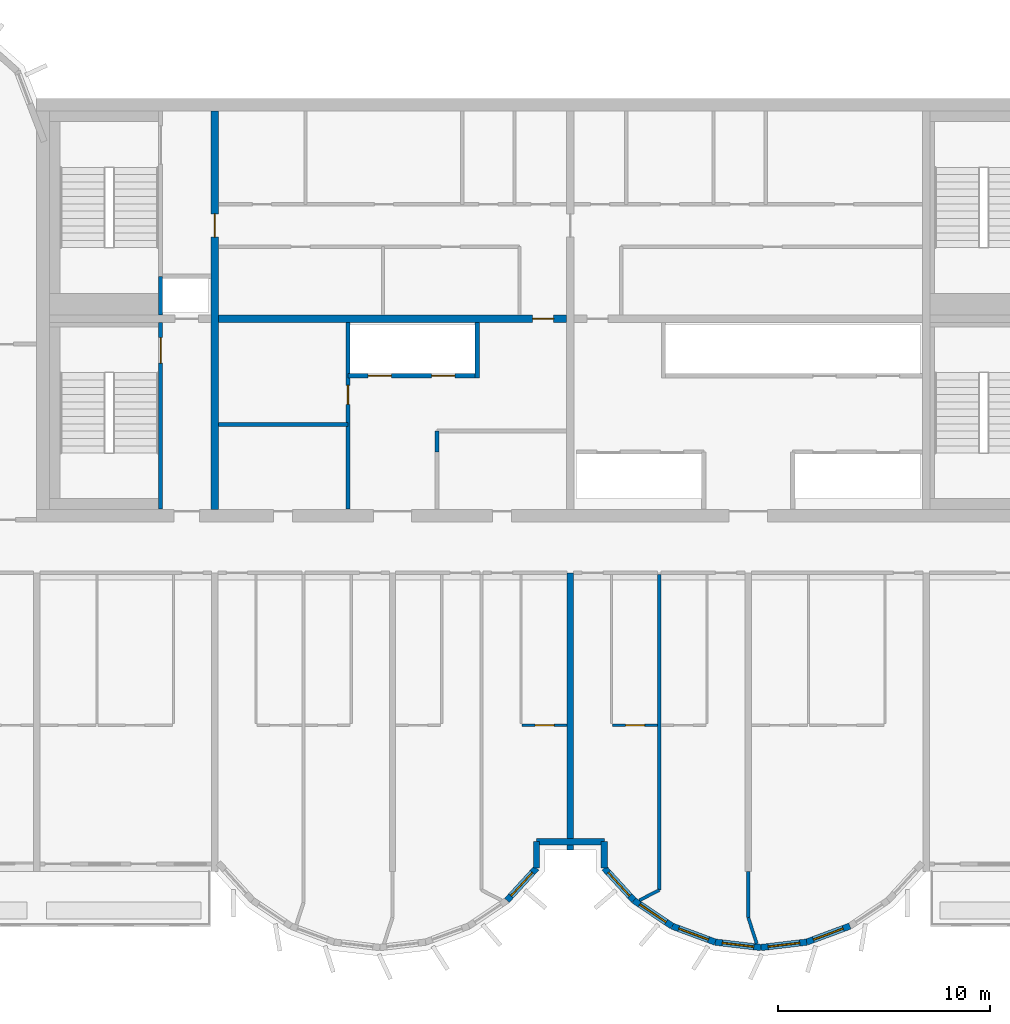
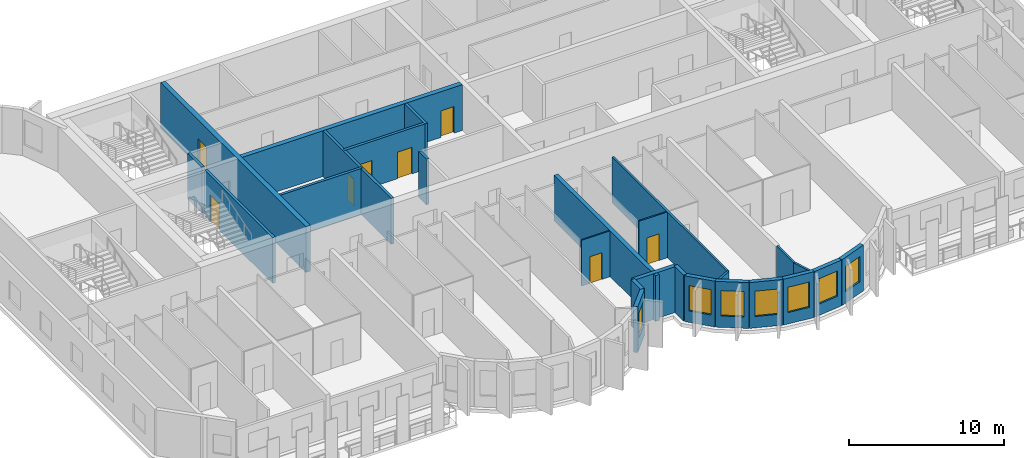
# One storey, part 4 of 11: 26 walls, 8 doors, 7 windows, 15 openings.
"""IFC4 building model written with IfcOpenShell, lengths in metres."""

from ifc_helpers import new_model, si_unit, direction, frame, frame_2d, origin, place, context, subcontext, project, spatial, rectangle, extrude, source, transform, mapped, material, layer, layer_set, type_object, element, fill, save


model = new_model("IFC4")

# Units and contexts
model_context = context("Model", 3, precision=1e-05, world=origin(), true_north=direction((0.0, 1.0)))
body_context = subcontext(model_context, "Body", "Model", "MODEL_VIEW")
ifc_project = project(units=[si_unit("LENGTHUNIT", "METRE"), si_unit("AREAUNIT", "SQUARE_METRE"), si_unit("VOLUMEUNIT", "CUBIC_METRE"), si_unit("PLANEANGLEUNIT", "RADIAN"), si_unit("MASSUNIT", "GRAM", prefix="KILO")], contexts=[model_context])

# Site, building, storey
site_placement = place(None, origin())
site = spatial("IfcSite", under=ifc_project, at=site_placement, CompositionType="ELEMENT")
building_placement = place(site_placement, origin())
building = spatial("IfcBuilding", under=site, at=building_placement, Name="Vanashikhar Sky Hotel", CompositionType="ELEMENT")
storey_placement = place(building_placement, frame((0.0, 0.0, 225.699951171875)))
storey = spatial("IfcBuildingStorey", under=building, at=storey_placement, Name="L54", CompositionType="ELEMENT", Elevation=225.699951171875)

# Wall, opening, door
ifc_material_1 = material(Name="Concrete M60", Category="concrete")
ifc_layer_1 = layer(ifc_material_1, 0.35009765625)
ifc_layer_set_1 = layer_set([ifc_layer_1], Name="RC core inner wall 350 Concrete M60")
wall_type_1 = type_object("IfcWallType", Name="RC core inner wall 350 Concrete M60", PredefinedType="SHEAR", material=ifc_layer_set_1)
shared_shape_1 = source(origin(), body_context, "Body", "SweptSolid", [
    extrude(rectangle(XDim=18.7998046875, YDim=0.35009765625, at=frame_2d((9.39990234375, 0.0))), origin(), (0.0, 0.0, 1.0), 3.6201171875),
])
wall_1_placement = place(storey_placement, frame((33.60009765625, 22.60009765625, 0.0), z_axis=(0.0, 0.0, 1.0), x_axis=(0.0, 1.0, 0.0)))
wall_1 = element("IfcWall", 1, at=wall_1_placement, inside=storey, type_object=wall_type_1, Name="KW-L54-KX1", PredefinedType="SHEAR", context=body_context, shape_type="MappedRepresentation", body=[
    mapped(shared_shape_1, transform((0.0, 0.0, 0.0), scale=1.0)),
])
shared_shape_2 = source(origin(), body_context, "Body", "SweptSolid", [
    extrude(rectangle(XDim=1.10009765625, YDim=2.10009765625, at=frame_2d((0.550048828125, 1.050048828125))), frame((0.0, 0.18505859375, 0.0), z_axis=(0.0, -1.0, 0.0), x_axis=(1.0, 0.0, 0.0)), (0.0, 0.0, 1.0), 0.3701171875),
])
opening_1_placement = place(wall_1_placement, frame((12.85009765625, 0.0, 0.0)))
opening_1 = element("IfcOpeningElement", 2, at=opening_1_placement, cuts=wall_1, Name="Opening DC-4-C", PredefinedType="OPENING", context=body_context, shape_type="MappedRepresentation", body=[
    mapped(shared_shape_2, transform((0.0, 0.0, 0.0), scale=1.0)),
])
ifc_material_2 = material(Name="Steel", Category="steel")
door_type_1 = type_object("IfcDoorType", Name="Service door 1100 FD60", OperationType="NOTDEFINED", PredefinedType="DOOR", material=ifc_material_2)
shared_shape_3 = source(origin(), body_context, "Body", "SweptSolid", [
    extrude(rectangle(XDim=1.10009765625, YDim=2.10009765625, at=frame_2d((0.550048828125, 1.050048828125))), frame((0.0, 0.02490234375, 0.0), z_axis=(0.0, -1.0, 0.0), x_axis=(1.0, 0.0, 0.0)), (0.0, 0.0, 1.0), 0.050048828125),
])
door_1_placement = place(opening_1_placement, origin())
door_1 = element("IfcDoor", 3, at=door_1_placement, inside=storey, type_object=door_type_1, Name="Service door 1100 FD60", OperationType="SINGLE_SWING_RIGHT", OverallHeight=2.10009765625, OverallWidth=1.10009765625, PredefinedType="DOOR", context=body_context, shape_type="MappedRepresentation", body=[
    mapped(shared_shape_3, transform((0.0, 0.0, 0.0), scale=1.0)),
])
fill(opening_1, door_1)

shared_shape_4 = source(origin(), body_context, "Body", "SweptSolid", [
    extrude(rectangle(XDim=16.4501953125, YDim=0.35009765625, at=frame_2d((8.22509765625, 0.0))), origin(), (0.0, 0.0, 1.0), 3.6201171875),
])
wall_2_placement = place(storey_placement, frame((33.77490234375, 31.60009765625, 0.0), z_axis=(0.0, 0.0, 1.0), x_axis=(1.0, 0.0, 0.0)))
wall_2 = element("IfcWall", 4, at=wall_2_placement, inside=storey, type_object=wall_type_1, Name="KW-L54-KY2", PredefinedType="SHEAR", context=body_context, shape_type="MappedRepresentation", body=[
    mapped(shared_shape_4, transform((0.0, 0.0, 0.0), scale=1.0)),
])
shared_shape_5 = source(origin(), body_context, "Body", "SweptSolid", [
    extrude(rectangle(XDim=1.0, YDim=2.10009765625, at=frame_2d((0.5, 1.050048828125))), frame((0.0, 0.18505859375, 0.0), z_axis=(0.0, -1.0, 0.0), x_axis=(1.0, 0.0, 0.0)), (0.0, 0.0, 1.0), 0.3701171875),
])
opening_2_placement = place(wall_2_placement, frame((14.8369140625, 0.0, 0.0)))
opening_2 = element("IfcOpeningElement", 5, at=opening_2_placement, cuts=wall_2, Name="Opening DC-4", PredefinedType="OPENING", context=body_context, shape_type="MappedRepresentation", body=[
    mapped(shared_shape_5, transform((0.0, 0.0, 0.0), scale=1.0)),
])
door_type_2 = type_object("IfcDoorType", Name="Service door 1000 FD60", OperationType="NOTDEFINED", PredefinedType="DOOR", material=ifc_material_2)
shared_shape_6 = source(origin(), body_context, "Body", "SweptSolid", [
    extrude(rectangle(XDim=1.0, YDim=2.10009765625, at=frame_2d((0.5, 1.050048828125))), frame((0.0, 0.02490234375, 0.0), z_axis=(0.0, -1.0, 0.0), x_axis=(1.0, 0.0, 0.0)), (0.0, 0.0, 1.0), 0.050048828125),
])
door_2_placement = place(opening_2_placement, origin())
door_2 = element("IfcDoor", 6, at=door_2_placement, inside=storey, type_object=door_type_2, Name="Service door 1000 FD60", OperationType="SINGLE_SWING_LEFT", OverallHeight=2.10009765625, OverallWidth=1.0, PredefinedType="DOOR", context=body_context, shape_type="MappedRepresentation", body=[
    mapped(shared_shape_6, transform((0.0, 0.0, 0.0), scale=1.0)),
])
fill(opening_2, door_2)

# Wall
ifc_layer_2 = layer(ifc_material_1, 0.300048828125)
ifc_layer_set_2 = layer_set([ifc_layer_2], Name="RC shear wall 300 Concrete M60")
wall_type_2 = type_object("IfcWallType", Name="RC shear wall 300 Concrete M60", PredefinedType="SHEAR", material=ifc_layer_set_2)
shared_shape_7 = source(origin(), body_context, "Body", "SweptSolid", [
    extrude(rectangle(XDim=13.10009765625, YDim=0.300048828125, at=frame_2d((6.550048828125, 0.0))), origin(), (0.0, 0.0, 1.0), 3.6201171875),
])
wall_3_placement = place(storey_placement, frame((50.39990234375, 6.5, 0.0), z_axis=(0.0, 0.0, 1.0), x_axis=(0.0, 1.0, 0.0)))
element("IfcWall", 7, at=wall_3_placement, inside=storey, type_object=wall_type_2, Name="CW-L54-XW07-1", PredefinedType="SHEAR", context=body_context, shape_type="MappedRepresentation", body=[
    mapped(shared_shape_7, transform((0.0, 0.0, 0.0), scale=1.0)),
])

# Wall, opening, window
ifc_material_3 = material(Name="Concrete M50", Category="concrete")
ifc_layer_3 = layer(ifc_material_3, 0.300048828125)
ifc_layer_set_3 = layer_set([ifc_layer_3], Name="Lobe wall 300")
wall_type_3 = type_object("IfcWallType", Name="Lobe wall 300", PredefinedType="SOLIDWALL", material=ifc_layer_set_3)
shared_shape_8 = source(origin(), body_context, "Body", "SweptSolid", [
    extrude(rectangle(XDim=2.17578125, YDim=0.300048828125, at=frame_2d((1.087890625, 0.0))), origin(), (0.0, 0.0, 1.0), 3.6201171875),
])
wall_4_placement = place(storey_placement, frame((53.395751953125, 4.13134765625, 0.0), z_axis=(0.0, 0.0, 1.0), x_axis=(0.829590746428, -0.558371913192, 0.0)))
wall_4 = element("IfcWall", 8, at=wall_4_placement, inside=storey, type_object=wall_type_3, Name="Lobe wall", PredefinedType="SOLIDWALL", context=body_context, shape_type="MappedRepresentation", body=[
    mapped(shared_shape_8, transform((0.0, 0.0, 0.0), scale=1.0)),
])
shared_shape_9 = source(origin(), body_context, "Body", "SweptSolid", [
    extrude(rectangle(XDim=1.5, YDim=2.0, at=frame_2d((0.75, 1.0))), frame((0.0, 0.16015625, 0.0), z_axis=(0.0, -1.0, 0.0), x_axis=(1.0, 0.0, 0.0)), (0.0, 0.0, 1.0), 0.320068359375),
])
opening_3_placement = place(wall_4_placement, frame((0.337890625, 0.0, 0.89990234375)))
opening_3 = element("IfcOpeningElement", 9, at=opening_3_placement, cuts=wall_4, Name="Opening WN-2", PredefinedType="OPENING", context=body_context, shape_type="MappedRepresentation", body=[
    mapped(shared_shape_9, transform((0.0, 0.0, 0.0), scale=1.0)),
])
ifc_material_4 = material(Name="Glass", Category="glass")
window_type = type_object("IfcWindowType", Name="Lobe window 1500 x 2000", PartitioningType="SINGLE_PANEL", PredefinedType="WINDOW", material=ifc_material_4)
shared_shape_10 = source(origin(), body_context, "Body", "SweptSolid", [
    extrude(rectangle(XDim=1.5, YDim=2.0, at=frame_2d((0.75, 1.0))), frame((0.0, 0.030029296875, 0.0), z_axis=(0.0, -1.0, 0.0), x_axis=(1.0, 0.0, 0.0)), (0.0, 0.0, 1.0), 0.06005859375),
])
window_1_placement = place(opening_3_placement, origin())
window_1 = element("IfcWindow", 10, at=window_1_placement, inside=storey, type_object=window_type, Name="Window WN-2", OverallHeight=2.0, OverallWidth=1.5, PartitioningType="SINGLE_PANEL", PredefinedType="WINDOW", context=body_context, shape_type="MappedRepresentation", body=[
    mapped(shared_shape_10, transform((0.0, 0.0, 0.0), scale=1.0)),
])
fill(opening_3, window_1)

wall_5_placement = place(storey_placement, frame((55.20068359375, 2.91650390625, 0.0), z_axis=(0.0, 0.0, 1.0), x_axis=(0.93754555999, -0.347862505801, 0.0)))
wall_5 = element("IfcWall", 11, at=wall_5_placement, inside=storey, type_object=wall_type_3, Name="Lobe wall", PredefinedType="SOLIDWALL", context=body_context, shape_type="MappedRepresentation", body=[
    mapped(shared_shape_8, transform((0.0, 0.0, 0.0), scale=1.0)),
])
opening_4_placement = place(wall_5_placement, frame((0.337890625, 0.0, 0.89990234375)))
opening_4 = element("IfcOpeningElement", 12, at=opening_4_placement, cuts=wall_5, Name="Opening WN-2", PredefinedType="OPENING", context=body_context, shape_type="MappedRepresentation", body=[
    mapped(shared_shape_9, transform((0.0, 0.0, 0.0), scale=1.0)),
])
window_2_placement = place(opening_4_placement, origin())
window_2 = element("IfcWindow", 13, at=window_2_placement, inside=storey, type_object=window_type, Name="Window WN-2", OverallHeight=2.0, OverallWidth=1.5, PartitioningType="SINGLE_PANEL", PredefinedType="WINDOW", context=body_context, shape_type="MappedRepresentation", body=[
    mapped(shared_shape_10, transform((0.0, 0.0, 0.0), scale=1.0)),
])
fill(opening_4, window_2)

shared_shape_11 = source(origin(), body_context, "Body", "SweptSolid", [
    extrude(rectangle(XDim=2.174560546875, YDim=0.300048828125, at=frame_2d((1.08740234375, 0.0))), origin(), (0.0, 0.0, 1.0), 3.6201171875),
])
wall_6_placement = place(storey_placement, frame((57.240478515625, 2.15966796875, 0.0), z_axis=(0.0, 0.0, 1.0), x_axis=(0.993001132889, -0.118104826659, 0.0)))
wall_6 = element("IfcWall", 14, at=wall_6_placement, inside=storey, type_object=wall_type_3, Name="Lobe wall", PredefinedType="SOLIDWALL", context=body_context, shape_type="MappedRepresentation", body=[
    mapped(shared_shape_11, transform((0.0, 0.0, 0.0), scale=1.0)),
])
opening_5_placement = place(wall_6_placement, frame((0.33740234375, 0.0, 0.89990234375)))
opening_5 = element("IfcOpeningElement", 15, at=opening_5_placement, cuts=wall_6, Name="Opening WN-2", PredefinedType="OPENING", context=body_context, shape_type="MappedRepresentation", body=[
    mapped(shared_shape_9, transform((0.0, 0.0, 0.0), scale=1.0)),
])
window_3_placement = place(opening_5_placement, origin())
window_3 = element("IfcWindow", 16, at=window_3_placement, inside=storey, type_object=window_type, Name="Window WN-2", OverallHeight=2.0, OverallWidth=1.5, PartitioningType="SINGLE_PANEL", PredefinedType="WINDOW", context=body_context, shape_type="MappedRepresentation", body=[
    mapped(shared_shape_10, transform((0.0, 0.0, 0.0), scale=1.0)),
])
fill(opening_5, window_3)

shared_shape_12 = source(origin(), body_context, "Body", "SweptSolid", [
    extrude(rectangle(XDim=2.1748046875, YDim=0.300048828125, at=frame_2d((1.08740234375, 0.0))), origin(), (0.0, 0.0, 1.0), 3.6201171875),
])
wall_7_placement = place(storey_placement, frame((59.39990234375, 1.90283203125, 0.0), z_axis=(0.0, 0.0, 1.0), x_axis=(0.993002698611, 0.118091661648, 0.0)))
wall_7 = element("IfcWall", 17, at=wall_7_placement, inside=storey, type_object=wall_type_3, Name="Lobe wall", PredefinedType="SOLIDWALL", context=body_context, shape_type="MappedRepresentation", body=[
    mapped(shared_shape_12, transform((0.0, 0.0, 0.0), scale=1.0)),
])
opening_6_placement = place(wall_7_placement, frame((0.33740234375, 0.0, 0.89990234375)))
opening_6 = element("IfcOpeningElement", 18, at=opening_6_placement, cuts=wall_7, Name="Opening WN-2", PredefinedType="OPENING", context=body_context, shape_type="MappedRepresentation", body=[
    mapped(shared_shape_9, transform((0.0, 0.0, 0.0), scale=1.0)),
])
window_4_placement = place(opening_6_placement, origin())
window_4 = element("IfcWindow", 19, at=window_4_placement, inside=storey, type_object=window_type, Name="Window WN-2", OverallHeight=2.0, OverallWidth=1.5, PartitioningType="SINGLE_PANEL", PredefinedType="WINDOW", context=body_context, shape_type="MappedRepresentation", body=[
    mapped(shared_shape_10, transform((0.0, 0.0, 0.0), scale=1.0)),
])
fill(opening_6, window_4)

shared_shape_13 = source(origin(), body_context, "Body", "SweptSolid", [
    extrude(rectangle(XDim=2.175537109375, YDim=0.300048828125, at=frame_2d((1.087890625, 0.0))), origin(), (0.0, 0.0, 1.0), 3.6201171875),
])
wall_8_placement = place(storey_placement, frame((61.5595703125, 2.15966796875, 0.0), z_axis=(0.0, 0.0, 1.0), x_axis=(0.937531979054, 0.347899106424, 0.0)))
wall_8 = element("IfcWall", 20, at=wall_8_placement, inside=storey, type_object=wall_type_3, Name="Lobe wall", PredefinedType="SOLIDWALL", context=body_context, shape_type="MappedRepresentation", body=[
    mapped(shared_shape_13, transform((0.0, 0.0, 0.0), scale=1.0)),
])
opening_7_placement = place(wall_8_placement, frame((0.337890625, 0.0, 0.89990234375)))
opening_7 = element("IfcOpeningElement", 21, at=opening_7_placement, cuts=wall_8, Name="Opening WN-2", PredefinedType="OPENING", context=body_context, shape_type="MappedRepresentation", body=[
    mapped(shared_shape_9, transform((0.0, 0.0, 0.0), scale=1.0)),
])
window_5_placement = place(opening_7_placement, origin())
window_5 = element("IfcWindow", 22, at=window_5_placement, inside=storey, type_object=window_type, Name="Window WN-2", OverallHeight=2.0, OverallWidth=1.5, PartitioningType="SINGLE_PANEL", PredefinedType="WINDOW", context=body_context, shape_type="MappedRepresentation", body=[
    mapped(shared_shape_10, transform((0.0, 0.0, 0.0), scale=1.0)),
])
fill(opening_7, window_5)

shared_shape_14 = source(origin(), body_context, "Body", "SweptSolid", [
    extrude(rectangle(XDim=2.066650390625, YDim=0.300048828125, at=frame_2d((1.033203125, 0.0))), origin(), (0.0, 0.0, 1.0), 3.6201171875),
])
wall_9_placement = place(storey_placement, frame((47.404296875, 4.13134765625, 0.0), z_axis=(0.0, 0.0, 1.0), x_axis=(0.675355439877, 0.737492393065, 0.0)))
wall_9 = element("IfcWall", 23, at=wall_9_placement, inside=storey, type_object=wall_type_3, Name="Lobe wall", PredefinedType="SOLIDWALL", context=body_context, shape_type="MappedRepresentation", body=[
    mapped(shared_shape_14, transform((0.0, 0.0, 0.0), scale=1.0)),
])
opening_8_placement = place(wall_9_placement, frame((0.283447265625, 0.0, 0.89990234375)))
opening_8 = element("IfcOpeningElement", 24, at=opening_8_placement, cuts=wall_9, Name="Opening WN-2", PredefinedType="OPENING", context=body_context, shape_type="MappedRepresentation", body=[
    mapped(shared_shape_9, transform((0.0, 0.0, 0.0), scale=1.0)),
])
window_6_placement = place(opening_8_placement, origin())
window_6 = element("IfcWindow", 25, at=window_6_placement, inside=storey, type_object=window_type, Name="Window WN-2", OverallHeight=2.0, OverallWidth=1.5, PartitioningType="SINGLE_PANEL", PredefinedType="WINDOW", context=body_context, shape_type="MappedRepresentation", body=[
    mapped(shared_shape_10, transform((0.0, 0.0, 0.0), scale=1.0)),
])
fill(opening_8, window_6)

wall_10_placement = place(storey_placement, frame((52.0, 5.655517578125, 0.0), z_axis=(0.0, 0.0, 1.0), x_axis=(0.675355439877, -0.737492393065, 0.0)))
wall_10 = element("IfcWall", 26, at=wall_10_placement, inside=storey, type_object=wall_type_3, Name="Lobe wall", PredefinedType="SOLIDWALL", context=body_context, shape_type="MappedRepresentation", body=[
    mapped(shared_shape_14, transform((0.0, 0.0, 0.0), scale=1.0)),
])
opening_9_placement = place(wall_10_placement, frame((0.283447265625, 0.0, 0.89990234375)))
opening_9 = element("IfcOpeningElement", 27, at=opening_9_placement, cuts=wall_10, Name="Opening WN-2", PredefinedType="OPENING", context=body_context, shape_type="MappedRepresentation", body=[
    mapped(shared_shape_9, transform((0.0, 0.0, 0.0), scale=1.0)),
])
window_7_placement = place(opening_9_placement, origin())
window_7 = element("IfcWindow", 28, at=window_7_placement, inside=storey, type_object=window_type, Name="Window WN-2", OverallHeight=2.0, OverallWidth=1.5, PartitioningType="SINGLE_PANEL", PredefinedType="WINDOW", context=body_context, shape_type="MappedRepresentation", body=[
    mapped(shared_shape_10, transform((0.0, 0.0, 0.0), scale=1.0)),
])
fill(opening_9, window_7)

# Walls
shared_shape_15 = source(origin(), body_context, "Body", "SweptSolid", [
    extrude(rectangle(XDim=1.244384765625, YDim=0.300048828125, at=frame_2d((0.6220703125, 0.0))), origin(), (0.0, 0.0, 1.0), 3.6201171875),
])
for number, where, z_axis, x_axis, name in (
    (29, (48.800048828125, 5.655517578125, 0.0), (0.0, 0.0, 1.0), (0.0, 1.0, 0.0), "Groove wall"),
    (30, (52.0, 6.89990234375, 0.0), (0.0, 0.0, 1.0), (0.0, -1.0, 0.0), "Groove wall"),
):
    element("IfcWall", number, at=place(storey_placement, frame(where, z_axis=z_axis, x_axis=x_axis)), inside=storey, type_object=wall_type_3, Name=name, PredefinedType="SOLIDWALL", context=body_context, shape_type="MappedRepresentation", body=[
        mapped(shared_shape_15, transform((0.0, 0.0, 0.0), scale=1.0)),
    ])
shared_shape_16 = source(origin(), body_context, "Body", "SweptSolid", [
    extrude(rectangle(XDim=3.199951171875, YDim=0.300048828125, at=frame_2d((1.60009765625, 0.0))), origin(), (0.0, 0.0, 1.0), 3.6201171875),
])
wall_11_placement = place(storey_placement, frame((48.800048828125, 6.89990234375, 0.0), z_axis=(0.0, 0.0, 1.0), x_axis=(1.0, 0.0, 0.0)))
element("IfcWall", 31, at=wall_11_placement, inside=storey, type_object=wall_type_3, Name="Groove wall", PredefinedType="SOLIDWALL", context=body_context, shape_type="MappedRepresentation", body=[
    mapped(shared_shape_16, transform((0.0, 0.0, 0.0), scale=1.0)),
])

# Wall, openings, doors
ifc_material_5 = material(Name="Concrete M40", Category="concrete")
ifc_layer_4 = layer(ifc_material_5, 0.199951171875)
ifc_layer_set_4 = layer_set([ifc_layer_4], Name="Shaft wall 200")
wall_type_4 = type_object("IfcWallType", Name="Shaft wall 200", PredefinedType="SOLIDWALL", material=ifc_layer_set_4)
shared_shape_17 = source(origin(), body_context, "Body", "SweptSolid", [
    extrude(rectangle(XDim=6.0, YDim=0.199951171875, at=frame_2d((3.0, 0.0))), origin(), (0.0, 0.0, 1.0), 3.6201171875),
])
wall_12_placement = place(storey_placement, frame((39.89990234375, 28.89990234375, 0.0), z_axis=(0.0, 0.0, 1.0), x_axis=(1.0, 0.0, 0.0)))
wall_12 = element("IfcWall", 32, at=wall_12_placement, inside=storey, type_object=wall_type_4, Name="Shaft wall 200", PredefinedType="SOLIDWALL", context=body_context, shape_type="MappedRepresentation", body=[
    mapped(shared_shape_17, transform((0.0, 0.0, 0.0), scale=1.0)),
])
shared_shape_18 = source(origin(), body_context, "Body", "SweptSolid", [
    extrude(rectangle(XDim=1.10009765625, YDim=2.10009765625, at=frame_2d((0.550048828125, 1.050048828125))), frame((0.0, 0.10986328125, 0.0), z_axis=(0.0, -1.0, 0.0), x_axis=(1.0, 0.0, 0.0)), (0.0, 0.0, 1.0), 0.219970703125),
])
opening_10_placement = place(wall_12_placement, frame((0.949951171875, 0.0, 0.0)))
opening_10 = element("IfcOpeningElement", 33, at=opening_10_placement, cuts=wall_12, Name="Opening LD", PredefinedType="OPENING", context=body_context, shape_type="MappedRepresentation", body=[
    mapped(shared_shape_18, transform((0.0, 0.0, 0.0), scale=1.0)),
])
opening_11_placement = place(wall_12_placement, frame((3.949951171875, 0.0, 0.0)))
opening_11 = element("IfcOpeningElement", 34, at=opening_11_placement, cuts=wall_12, Name="Opening LD", PredefinedType="OPENING", context=body_context, shape_type="MappedRepresentation", body=[
    mapped(shared_shape_18, transform((0.0, 0.0, 0.0), scale=1.0)),
])
ifc_material_6 = material(Name="Stainless steel", Category="steel")
door_type_3 = type_object("IfcDoorType", Name="Lift landing door 1100", OperationType="NOTDEFINED", PredefinedType="DOOR", material=ifc_material_6)
door_3_placement = place(opening_10_placement, origin())
door_3 = element("IfcDoor", 35, at=door_3_placement, inside=storey, type_object=door_type_3, Name="Lift landing door 1100", OperationType="SLIDING_TO_LEFT", OverallHeight=2.10009765625, OverallWidth=1.10009765625, PredefinedType="DOOR", context=body_context, shape_type="MappedRepresentation", body=[
    mapped(shared_shape_3, transform((0.0, 0.0, 0.0), scale=1.0)),
])
fill(opening_10, door_3)
door_4_placement = place(opening_11_placement, origin())
door_4 = element("IfcDoor", 36, at=door_4_placement, inside=storey, type_object=door_type_3, Name="Lift landing door 1100", OperationType="SLIDING_TO_RIGHT", OverallHeight=2.10009765625, OverallWidth=1.10009765625, PredefinedType="DOOR", context=body_context, shape_type="MappedRepresentation", body=[
    mapped(shared_shape_3, transform((0.0, 0.0, 0.0), scale=1.0)),
])
fill(opening_11, door_4)

# Wall, opening, door
ifc_material_7 = material(Name="Gypsum board partition")
ifc_layer_5 = layer(ifc_material_7, 0.14990234375)
ifc_layer_set_5 = layer_set([ifc_layer_5], Name="Service partition 150")
wall_type_5 = type_object("IfcWallType", Name="Service partition 150", PredefinedType="PARTITIONING", material=ifc_layer_set_5)
shared_shape_19 = source(origin(), body_context, "Body", "SweptSolid", [
    extrude(rectangle(XDim=8.824951171875, YDim=0.199951171875, at=frame_2d((4.41259765625, 0.0))), origin(), (0.0, 0.0, 1.0), 3.6201171875),
])
wall_13_placement = place(storey_placement, frame((39.89990234375, 22.60009765625, 0.0), z_axis=(0.0, 0.0, 1.0), x_axis=(0.0, 1.0, 0.0)))
wall_13 = element("IfcWall", 37, at=wall_13_placement, inside=storey, type_object=wall_type_5, Name="Service partition 150", PredefinedType="PARTITIONING", context=body_context, shape_type="MappedRepresentation", body=[
    mapped(shared_shape_19, transform((0.0, 0.0, 0.0), scale=1.0)),
])
shared_shape_20 = source(origin(), body_context, "Body", "SweptSolid", [
    extrude(rectangle(XDim=0.89990234375, YDim=2.10009765625, at=frame_2d((0.449951171875, 1.050048828125))), frame((0.0, 0.10986328125, 0.0), z_axis=(0.0, -1.0, 0.0), x_axis=(1.0, 0.0, 0.0)), (0.0, 0.0, 1.0), 0.219970703125),
])
opening_12_placement = place(wall_13_placement, frame((4.949951171875, 0.0, 0.0)))
opening_12 = element("IfcOpeningElement", 38, at=opening_12_placement, cuts=wall_13, Name="Opening DC-4-A", PredefinedType="OPENING", context=body_context, shape_type="MappedRepresentation", body=[
    mapped(shared_shape_20, transform((0.0, 0.0, 0.0), scale=1.0)),
])
door_type_4 = type_object("IfcDoorType", Name="Service door 900 FD60", OperationType="NOTDEFINED", PredefinedType="DOOR", material=ifc_material_2)
shared_shape_21 = source(origin(), body_context, "Body", "SweptSolid", [
    extrude(rectangle(XDim=0.89990234375, YDim=2.10009765625, at=frame_2d((0.449951171875, 1.050048828125))), frame((0.0, 0.02490234375, 0.0), z_axis=(0.0, -1.0, 0.0), x_axis=(1.0, 0.0, 0.0)), (0.0, 0.0, 1.0), 0.050048828125),
])
door_5_placement = place(opening_12_placement, origin())
door_5 = element("IfcDoor", 39, at=door_5_placement, inside=storey, type_object=door_type_4, Name="Service door 900 FD60", OperationType="SINGLE_SWING_LEFT", OverallHeight=2.10009765625, OverallWidth=0.89990234375, PredefinedType="DOOR", context=body_context, shape_type="MappedRepresentation", body=[
    mapped(shared_shape_21, transform((0.0, 0.0, 0.0), scale=1.0)),
])
fill(opening_12, door_5)

# Walls
shared_shape_22 = source(origin(), body_context, "Body", "SweptSolid", [
    extrude(rectangle(XDim=2.625, YDim=0.199951171875, at=frame_2d((1.3125, 0.0))), origin(), (0.0, 0.0, 1.0), 3.6201171875),
])
wall_14_placement = place(storey_placement, frame((46.0, 28.800048828125, 0.0), z_axis=(0.0, 0.0, 1.0), x_axis=(0.0, 1.0, 0.0)))
element("IfcWall", 40, at=wall_14_placement, inside=storey, type_object=wall_type_4, Name="Shaft wall 200", PredefinedType="SOLIDWALL", context=body_context, shape_type="MappedRepresentation", body=[
    mapped(shared_shape_22, transform((0.0, 0.0, 0.0), scale=1.0)),
])
shared_shape_23 = source(origin(), body_context, "Body", "SweptSolid", [
    extrude(rectangle(XDim=6.125, YDim=0.199951171875, at=frame_2d((3.0625, 0.0))), origin(), (0.0, 0.0, 1.0), 3.6201171875),
])
wall_15_placement = place(storey_placement, frame((33.77490234375, 26.60009765625, 0.0), z_axis=(0.0, 0.0, 1.0), x_axis=(1.0, 0.0, 0.0)))
element("IfcWall", 41, at=wall_15_placement, inside=storey, type_object=wall_type_5, Name="Service partition 150", PredefinedType="PARTITIONING", context=body_context, shape_type="MappedRepresentation", body=[
    mapped(shared_shape_23, transform((0.0, 0.0, 0.0), scale=1.0)),
])
shared_shape_24 = source(origin(), body_context, "Body", "SweptSolid", [
    extrude(rectangle(XDim=1.0, YDim=0.199951171875, at=frame_2d((0.5, 0.0))), origin(), (0.0, 0.0, 1.0), 3.6201171875),
])
wall_16_placement = place(storey_placement, frame((44.10009765625, 25.300048828125, 0.0), z_axis=(0.0, 0.0, 1.0), x_axis=(0.0, 1.0, 0.0)))
element("IfcWall", 42, at=wall_16_placement, inside=storey, type_object=wall_type_5, Name="Service partition 150", PredefinedType="PARTITIONING", context=body_context, shape_type="MappedRepresentation", body=[
    mapped(shared_shape_24, transform((0.0, 0.0, 0.0), scale=1.0)),
])

# Wall, opening, door
ifc_layer_6 = layer(ifc_material_3, 0.199951171875)
ifc_layer_set_6 = layer_set([ifc_layer_6], Name="Stair wall 200")
wall_type_6 = type_object("IfcWallType", Name="Stair wall 200", PredefinedType="SOLIDWALL", material=ifc_layer_set_6)
shared_shape_25 = source(origin(), body_context, "Body", "SweptSolid", [
    extrude(rectangle(XDim=8.824951171875, YDim=0.199951171875, at=frame_2d((4.41259765625, 0.0))), origin(), (0.0, 0.0, 1.0), 3.6201171875),
])
wall_17_placement = place(storey_placement, frame((31.050048828125, 22.60009765625, 0.0), z_axis=(0.0, 0.0, 1.0), x_axis=(0.0, 1.0, 0.0)))
wall_17 = element("IfcWall", 43, at=wall_17_placement, inside=storey, type_object=wall_type_6, Name="Stair wall 200", PredefinedType="SOLIDWALL", context=body_context, shape_type="MappedRepresentation", body=[
    mapped(shared_shape_25, transform((0.0, 0.0, 0.0), scale=1.0)),
])
shared_shape_26 = source(origin(), body_context, "Body", "SweptSolid", [
    extrude(rectangle(XDim=1.199951171875, YDim=2.10009765625, at=frame_2d((0.60009765625, 1.050048828125))), frame((0.0, 0.10986328125, 0.0), z_axis=(0.0, -1.0, 0.0), x_axis=(1.0, 0.0, 0.0)), (0.0, 0.0, 1.0), 0.219970703125),
])
opening_13_placement = place(wall_17_placement, frame((6.89990234375, 0.0, 0.0)))
opening_13 = element("IfcOpeningElement", 44, at=opening_13_placement, cuts=wall_17, Name="Opening DC-1", PredefinedType="OPENING", context=body_context, shape_type="MappedRepresentation", body=[
    mapped(shared_shape_26, transform((0.0, 0.0, 0.0), scale=1.0)),
])
door_type_5 = type_object("IfcDoorType", Name="Stair door 1200 FD120", OperationType="NOTDEFINED", PredefinedType="DOOR", material=ifc_material_2)
shared_shape_27 = source(origin(), body_context, "Body", "SweptSolid", [
    extrude(rectangle(XDim=1.199951171875, YDim=2.10009765625, at=frame_2d((0.60009765625, 1.050048828125))), frame((0.0, 0.02490234375, 0.0), z_axis=(0.0, -1.0, 0.0), x_axis=(1.0, 0.0, 0.0)), (0.0, 0.0, 1.0), 0.050048828125),
])
door_6_placement = place(opening_13_placement, origin())
door_6 = element("IfcDoor", 45, at=door_6_placement, inside=storey, type_object=door_type_5, Name="Stair door 1200 FD120", OperationType="SINGLE_SWING_RIGHT", OverallHeight=2.10009765625, OverallWidth=1.199951171875, PredefinedType="DOOR", context=body_context, shape_type="MappedRepresentation", body=[
    mapped(shared_shape_27, transform((0.0, 0.0, 0.0), scale=1.0)),
])
fill(opening_13, door_6)

# Wall
shared_shape_28 = source(origin(), body_context, "Body", "SweptSolid", [
    extrude(rectangle(XDim=1.8251953125, YDim=0.199951171875, at=frame_2d((0.91259765625, 0.0))), origin(), (0.0, 0.0, 1.0), 3.6201171875),
])
wall_18_placement = place(storey_placement, frame((31.050048828125, 31.77490234375, 0.0), z_axis=(0.0, 0.0, 1.0), x_axis=(0.0, 1.0, 0.0)))
element("IfcWall", 46, at=wall_18_placement, inside=storey, type_object=wall_type_4, Name="Shaft wall 200", PredefinedType="SOLIDWALL", context=body_context, shape_type="MappedRepresentation", body=[
    mapped(shared_shape_28, transform((0.0, 0.0, 0.0), scale=1.0)),
])

# Wall, opening, door
ifc_material_8 = material(Name="Gypsum plasterboard partition")
ifc_layer_7 = layer(ifc_material_8, 0.10009765625)
ifc_layer_set_7 = layer_set([ifc_layer_7], Name="Wet room partition 100")
wall_type_7 = type_object("IfcWallType", Name="Wet room partition 100", PredefinedType="PARTITIONING", material=ifc_layer_set_7)
shared_shape_29 = source(origin(), body_context, "Body", "SweptSolid", [
    extrude(rectangle(XDim=2.125, YDim=0.10009765625, at=frame_2d((1.0625, 0.0))), origin(), (0.0, 0.0, 1.0), 3.6201171875),
])
wall_19_placement = place(storey_placement, frame((48.125, 12.39990234375, 0.0), z_axis=(0.0, 0.0, 1.0), x_axis=(1.0, 0.0, 0.0)))
wall_19 = element("IfcWall", 47, at=wall_19_placement, inside=storey, type_object=wall_type_7, Name="W-L54-PW024", PredefinedType="PARTITIONING", context=body_context, shape_type="MappedRepresentation", body=[
    mapped(shared_shape_29, transform((0.0, 0.0, 0.0), scale=1.0)),
])
shared_shape_30 = source(origin(), body_context, "Body", "SweptSolid", [
    extrude(rectangle(XDim=0.89990234375, YDim=2.10009765625, at=frame_2d((0.449951171875, 1.050048828125))), frame((0.0, 0.06005859375, 0.0), z_axis=(0.0, -1.0, 0.0), x_axis=(1.0, 0.0, 0.0)), (0.0, 0.0, 1.0), 0.1201171875),
])
opening_14_placement = place(wall_19_placement, frame((0.612060546875, 0.0, 0.0)))
opening_14 = element("IfcOpeningElement", 48, at=opening_14_placement, cuts=wall_19, Name="Opening D-02", PredefinedType="OPENING", context=body_context, shape_type="MappedRepresentation", body=[
    mapped(shared_shape_30, transform((0.0, 0.0, 0.0), scale=1.0)),
])
ifc_material_9 = material(Name="Timber door", Category="wood")
door_type_6 = type_object("IfcDoorType", Name="Internal door 900", OperationType="NOTDEFINED", PredefinedType="DOOR", material=ifc_material_9)
door_7_placement = place(opening_14_placement, origin())
door_7 = element("IfcDoor", 49, at=door_7_placement, inside=storey, type_object=door_type_6, Name="D-L54-014", OperationType="SINGLE_SWING_LEFT", OverallHeight=2.10009765625, OverallWidth=0.89990234375, PredefinedType="DOOR", context=body_context, shape_type="MappedRepresentation", body=[
    mapped(shared_shape_21, transform((0.0, 0.0, 0.0), scale=1.0)),
])
fill(opening_14, door_7)

wall_20_placement = place(storey_placement, frame((52.39990234375, 12.39990234375, 0.0), z_axis=(0.0, 0.0, 1.0), x_axis=(1.0, 0.0, 0.0)))
wall_20 = element("IfcWall", 50, at=wall_20_placement, inside=storey, type_object=wall_type_7, Name="W-L54-PW028", PredefinedType="PARTITIONING", context=body_context, shape_type="MappedRepresentation", body=[
    mapped(shared_shape_29, transform((0.0, 0.0, 0.0), scale=1.0)),
])
opening_15_placement = place(wall_20_placement, frame((0.612060546875, 0.0, 0.0)))
opening_15 = element("IfcOpeningElement", 51, at=opening_15_placement, cuts=wall_20, Name="Opening D-02", PredefinedType="OPENING", context=body_context, shape_type="MappedRepresentation", body=[
    mapped(shared_shape_30, transform((0.0, 0.0, 0.0), scale=1.0)),
])
door_8_placement = place(opening_15_placement, origin())
door_8 = element("IfcDoor", 52, at=door_8_placement, inside=storey, type_object=door_type_6, Name="D-L54-016", OperationType="SINGLE_SWING_LEFT", OverallHeight=2.10009765625, OverallWidth=0.89990234375, PredefinedType="DOOR", context=body_context, shape_type="MappedRepresentation", body=[
    mapped(shared_shape_21, transform((0.0, 0.0, 0.0), scale=1.0)),
])
fill(opening_15, door_8)

# Walls
ifc_layer_8 = layer(ifc_material_8, 0.14990234375)
ifc_layer_set_8 = layer_set([ifc_layer_8], Name="Corridor and demising partition 150")
wall_type_8 = type_object("IfcWallType", Name="Corridor and demising partition 150", PredefinedType="PARTITIONING", material=ifc_layer_set_8)
shared_shape_31 = source(origin(), body_context, "Body", "SweptSolid", [
    extrude(rectangle(XDim=14.906005859375, YDim=0.14990234375, at=frame_2d((7.453125, 0.0))), origin(), (0.0, 0.0, 1.0), 3.6201171875),
])
wall_21_placement = place(storey_placement, frame((54.60009765625, 4.618896484375, 0.0), z_axis=(0.0, 0.0, 1.0), x_axis=(0.0, 1.0, 0.0)))
element("IfcWall", 53, at=wall_21_placement, inside=storey, type_object=wall_type_8, Name="W-L54-PW033", PredefinedType="PARTITIONING", context=body_context, shape_type="MappedRepresentation", body=[
    mapped(shared_shape_31, transform((0.0, 0.0, 0.0), scale=1.0)),
])
shared_shape_32 = source(origin(), body_context, "Body", "SweptSolid", [
    extrude(rectangle(XDim=2.177978515625, YDim=0.14990234375, at=frame_2d((1.0888671875, 0.0))), origin(), (0.0, 0.0, 1.0), 3.6201171875),
])
wall_22_placement = place(storey_placement, frame((58.800048828125, 3.322021484375, 0.0), z_axis=(0.0, 0.0, 1.0), x_axis=(0.0, 1.0, 0.0)))
element("IfcWall", 54, at=wall_22_placement, inside=storey, type_object=wall_type_8, Name="W-L54-PW048", PredefinedType="PARTITIONING", context=body_context, shape_type="MappedRepresentation", body=[
    mapped(shared_shape_32, transform((0.0, 0.0, 0.0), scale=1.0)),
])
shared_shape_33 = source(origin(), body_context, "Body", "SweptSolid", [
    extrude(rectangle(XDim=1.057861328125, YDim=0.14990234375, at=frame_2d((0.52880859375, 0.0))), origin(), (0.0, 0.0, 1.0), 3.6201171875),
])
wall_23_placement = place(storey_placement, frame((53.659912109375, 4.134033203125, 0.0), z_axis=(0.0, 0.0, 1.0), x_axis=(0.888772319209, 0.458348955063, 0.0)))
element("IfcWall", 55, at=wall_23_placement, inside=storey, type_object=wall_type_8, Name="W-L54-PW033B0", PredefinedType="PARTITIONING", context=body_context, shape_type="MappedRepresentation", body=[
    mapped(shared_shape_33, transform((0.0, 0.0, 0.0), scale=1.0)),
])
shared_shape_34 = source(origin(), body_context, "Body", "SweptSolid", [
    extrude(rectangle(XDim=1.308349609375, YDim=0.14990234375, at=frame_2d((0.654296875, 0.0))), origin(), (0.0, 0.0, 1.0), 3.6201171875),
])
wall_24_placement = place(storey_placement, frame((59.201904296875, 2.076904296875, 0.0), z_axis=(0.0, 0.0, 1.0), x_axis=(-0.307144529633, 0.951662880392, 0.0)))
element("IfcWall", 56, at=wall_24_placement, inside=storey, type_object=wall_type_8, Name="W-L54-PW048B0", PredefinedType="PARTITIONING", context=body_context, shape_type="MappedRepresentation", body=[
    mapped(shared_shape_34, transform((0.0, 0.0, 0.0), scale=1.0)),
])

save(model, "model.ifc")
